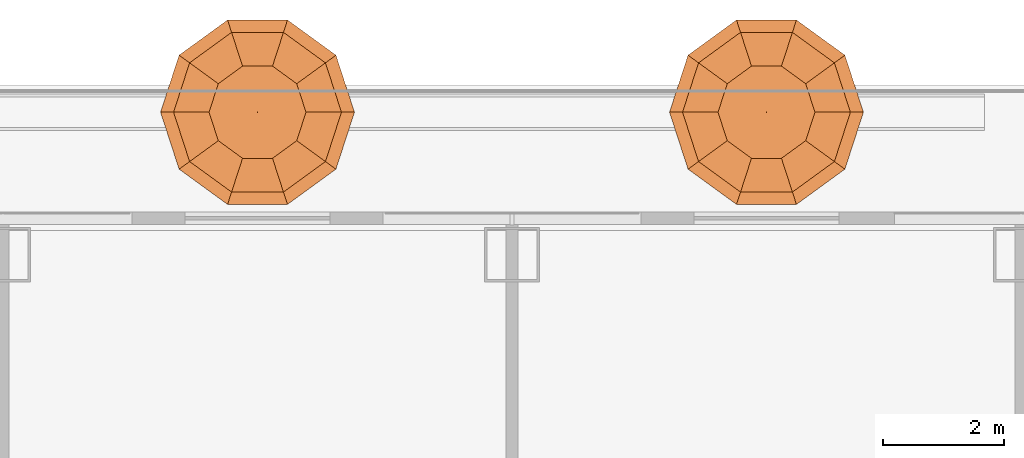
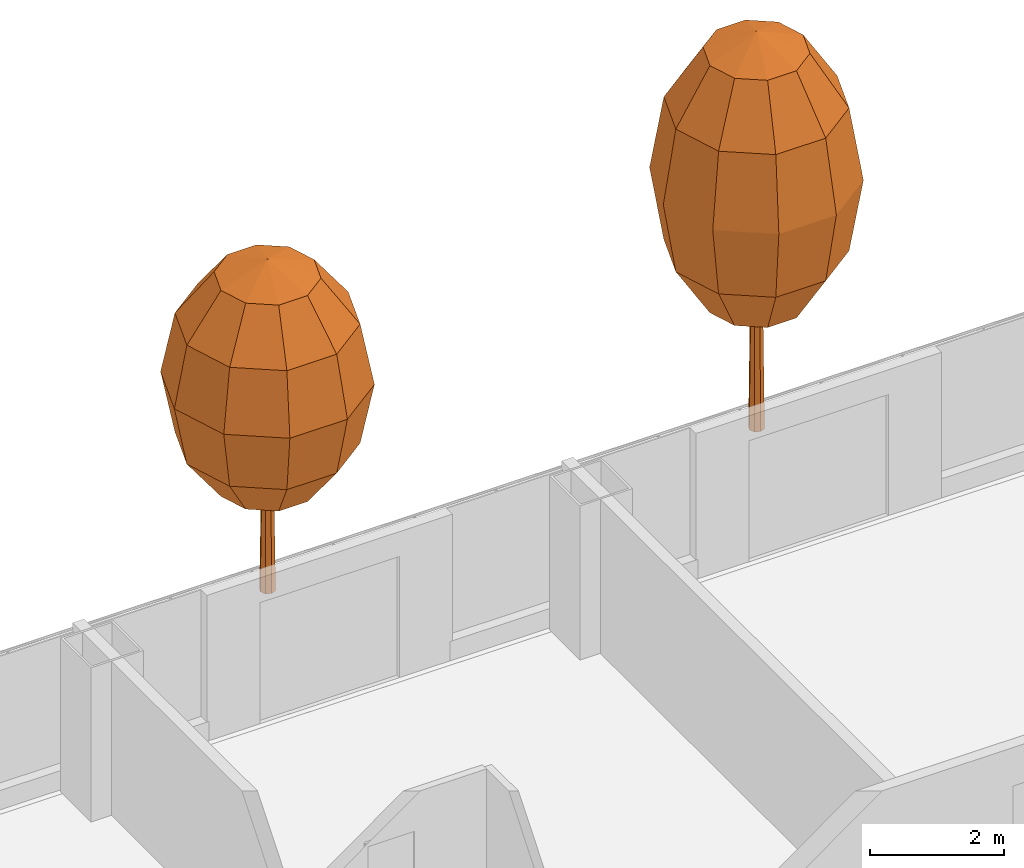
# One storey, part 35 of 35: 2 geographic elements.
"""IFC4 building model written with IfcOpenShell, lengths in metres."""

from ifc_helpers import new_model, si_unit, direction, frame, origin, place, context, subcontext, project, spatial, triangles, material, type_object, element, save


model = new_model("IFC4")

# Units and contexts
model_context = context("Model", 3, precision=1e-05, world=origin(), true_north=direction((0.0, 1.0)))
body_context = subcontext(model_context, "Body", "Model", "MODEL_VIEW")
ifc_project = project(units=[si_unit("LENGTHUNIT", "METRE"), si_unit("AREAUNIT", "SQUARE_METRE"), si_unit("VOLUMEUNIT", "CUBIC_METRE"), si_unit("PLANEANGLEUNIT", "RADIAN"), si_unit("MASSUNIT", "GRAM", prefix="KILO")], contexts=[model_context])

# Site, building, storey
site_placement = place(None, origin())
site = spatial("IfcSite", under=ifc_project, at=site_placement, CompositionType="ELEMENT")
building_placement = place(site_placement, origin())
building = spatial("IfcBuilding", under=site, at=building_placement, Name="Hakoniwa Tower and Hamabe Station Hall", CompositionType="ELEMENT")
storey_placement = place(building_placement, frame((0.0, 0.0, 51.800048828125)))
storey = spatial("IfcBuildingStorey", under=building, at=storey_placement, Name="L14", CompositionType="ELEMENT", Elevation=51.800048828125)

# Geographic elements
ifc_material_1 = material(Name="Tree foliage")
geographic_element_type_1 = type_object("IfcGeographicElementType", Name="Japanese maple 7.2 m", PredefinedType="USERDEFINED", material=ifc_material_1)
geographic_element_1_placement = place(storey_placement, frame((37.800048828125, 21.949951171875, 0.89990234375)))
element("IfcGeographicElement", 1, at=geographic_element_1_placement, inside=storey, type_object=geographic_element_type_1, Name="Japanese maple 7-2 m", ObjectType="TREE", PredefinedType="USERDEFINED", context=body_context, shape_type="Tessellation", body=[
    triangles([(0.125, 0.0, 0.0), (0.08837890625, 0.08837890625, 0.0), (0.0, 0.125, 0.0), (-0.08837890625, 0.08837890625, 0.0), (-0.125, 0.0, 0.0), (-0.08837890625, -0.08837890625, 0.0), (0.0, -0.125, 0.0), (0.08837890625, -0.08837890625, 0.0), (0.074951171875, 0.0, 4.348876953125), (0.052978515625, 0.052978515625, 4.348876953125), (0.0, 0.074951171875, 4.348876953125), (-0.052978515625, 0.052978515625, 4.348876953125), (-0.074951171875, 0.0, 4.348876953125), (-0.052978515625, -0.052978515625, 4.348876953125), (0.0, -0.074951171875, 4.348876953125), (0.052978515625, -0.052978515625, 4.348876953125), (0.0, 0.0, 0.0), (0.0, 0.0, 4.348876953125)], [[1, 2, 10], [1, 10, 9], [17, 2, 1], [18, 9, 10], [2, 3, 11], [2, 11, 10], [17, 3, 2], [18, 10, 11], [3, 4, 12], [3, 12, 11], [17, 4, 3], [18, 11, 12], [4, 5, 13], [4, 13, 12], [17, 5, 4], [18, 12, 13], [5, 6, 14], [5, 14, 13], [17, 6, 5], [18, 13, 14], [6, 7, 15], [6, 15, 14], [17, 7, 6], [18, 14, 15], [7, 8, 16], [7, 16, 15], [17, 8, 7], [18, 15, 16], [8, 1, 9], [8, 9, 16], [17, 1, 8], [18, 16, 9]], closed=True),
    triangles([(0.0, 0.0, 2.015869140625), (0.800048828125, 0.0, 2.36328125), (0.647216796875, 0.47021484375, 2.36328125), (0.247314453125, 0.7607421875, 2.36328125), (-0.247314453125, 0.7607421875, 2.36328125), (-0.647216796875, 0.47021484375, 2.36328125), (-0.800048828125, 0.0, 2.36328125), (-0.647216796875, -0.47021484375, 2.36328125), (-0.247314453125, -0.7607421875, 2.36328125), (0.247314453125, -0.7607421875, 2.36328125), (0.647216796875, -0.47021484375, 2.36328125), (1.385498046875, 0.0, 3.31201171875), (1.12109375, 0.814453125, 3.31201171875), (0.42822265625, 1.31787109375, 3.31201171875), (-0.42822265625, 1.31787109375, 3.31201171875), (-1.12109375, 0.814453125, 3.31201171875), (-1.385498046875, 0.0, 3.31201171875), (-1.12109375, -0.814453125, 3.31201171875), (-0.42822265625, -1.31787109375, 3.31201171875), (0.42822265625, -1.31787109375, 3.31201171875), (1.12109375, -0.814453125, 3.31201171875), (1.60009765625, 0.0, 4.60791015625), (1.29443359375, 0.9404296875, 4.60791015625), (0.494384765625, 1.521728515625, 4.60791015625), (-0.494384765625, 1.521728515625, 4.60791015625), (-1.29443359375, 0.9404296875, 4.60791015625), (-1.60009765625, 0.0, 4.60791015625), (-1.29443359375, -0.9404296875, 4.60791015625), (-0.494384765625, -1.521728515625, 4.60791015625), (0.494384765625, -1.521728515625, 4.60791015625), (1.29443359375, -0.9404296875, 4.60791015625), (1.385498046875, 0.0, 5.904052734375), (1.12109375, 0.814453125, 5.904052734375), (0.42822265625, 1.31787109375, 5.904052734375), (-0.42822265625, 1.31787109375, 5.904052734375), (-1.12109375, 0.814453125, 5.904052734375), (-1.385498046875, 0.0, 5.904052734375), (-1.12109375, -0.814453125, 5.904052734375), (-0.42822265625, -1.31787109375, 5.904052734375), (0.42822265625, -1.31787109375, 5.904052734375), (1.12109375, -0.814453125, 5.904052734375), (0.800048828125, 0.0, 6.852783203125), (0.647216796875, 0.47021484375, 6.852783203125), (0.247314453125, 0.7607421875, 6.852783203125), (-0.247314453125, 0.7607421875, 6.852783203125), (-0.647216796875, 0.47021484375, 6.852783203125), (-0.800048828125, 0.0, 6.852783203125), (-0.647216796875, -0.47021484375, 6.852783203125), (-0.247314453125, -0.7607421875, 6.852783203125), (0.247314453125, -0.7607421875, 6.852783203125), (0.647216796875, -0.47021484375, 6.852783203125), (0.0, 0.0, 7.199951171875)], [[1, 3, 2], [1, 4, 3], [1, 5, 4], [1, 6, 5], [1, 7, 6], [1, 8, 7], [1, 9, 8], [1, 10, 9], [1, 11, 10], [1, 2, 11], [2, 3, 13], [2, 13, 12], [3, 4, 14], [3, 14, 13], [4, 5, 15], [4, 15, 14], [5, 6, 16], [5, 16, 15], [6, 7, 17], [6, 17, 16], [7, 8, 18], [7, 18, 17], [8, 9, 19], [8, 19, 18], [9, 10, 20], [9, 20, 19], [10, 11, 21], [10, 21, 20], [11, 2, 12], [11, 12, 21], [12, 13, 23], [12, 23, 22], [13, 14, 24], [13, 24, 23], [14, 15, 25], [14, 25, 24], [15, 16, 26], [15, 26, 25], [16, 17, 27], [16, 27, 26], [17, 18, 28], [17, 28, 27], [18, 19, 29], [18, 29, 28], [19, 20, 30], [19, 30, 29], [20, 21, 31], [20, 31, 30], [21, 12, 22], [21, 22, 31], [22, 23, 33], [22, 33, 32], [23, 24, 34], [23, 34, 33], [24, 25, 35], [24, 35, 34], [25, 26, 36], [25, 36, 35], [26, 27, 37], [26, 37, 36], [27, 28, 38], [27, 38, 37], [28, 29, 39], [28, 39, 38], [29, 30, 40], [29, 40, 39], [30, 31, 41], [30, 41, 40], [31, 22, 32], [31, 32, 41], [32, 33, 43], [32, 43, 42], [33, 34, 44], [33, 44, 43], [34, 35, 45], [34, 45, 44], [35, 36, 46], [35, 46, 45], [36, 37, 47], [36, 47, 46], [37, 38, 48], [37, 48, 47], [38, 39, 49], [38, 49, 48], [39, 40, 50], [39, 50, 49], [40, 41, 51], [40, 51, 50], [41, 32, 42], [41, 42, 51], [52, 42, 43], [52, 43, 44], [52, 44, 45], [52, 45, 46], [52, 46, 47], [52, 47, 48], [52, 48, 49], [52, 49, 50], [52, 50, 51], [52, 51, 42]], closed=True),
])
ifc_material_2 = material(Name="Tree foliage")
geographic_element_type_2 = type_object("IfcGeographicElementType", Name="Osmanthus 6.0 m", PredefinedType="USERDEFINED", material=ifc_material_2)
geographic_element_2_placement = place(storey_placement, frame((29.39990234375, 21.949951171875, 0.89990234375)))
element("IfcGeographicElement", 2, at=geographic_element_2_placement, inside=storey, type_object=geographic_element_type_2, Name="Osmanthus 6-0 m", ObjectType="TREE", PredefinedType="USERDEFINED", context=body_context, shape_type="Tessellation", body=[
    triangles([(0.125, 0.0, 0.0), (0.08837890625, 0.08837890625, 0.0), (0.0, 0.125, 0.0), (-0.08837890625, 0.08837890625, 0.0), (-0.125, 0.0, 0.0), (-0.08837890625, -0.08837890625, 0.0), (0.0, -0.125, 0.0), (0.08837890625, -0.08837890625, 0.0), (0.074951171875, 0.0, 3.6240234375), (0.052978515625, 0.052978515625, 3.6240234375), (0.0, 0.074951171875, 3.6240234375), (-0.052978515625, 0.052978515625, 3.6240234375), (-0.074951171875, 0.0, 3.6240234375), (-0.052978515625, -0.052978515625, 3.6240234375), (0.0, -0.074951171875, 3.6240234375), (0.052978515625, -0.052978515625, 3.6240234375), (0.0, 0.0, 0.0), (0.0, 0.0, 3.6240234375)], [[1, 2, 10], [1, 10, 9], [17, 2, 1], [18, 9, 10], [2, 3, 11], [2, 11, 10], [17, 3, 2], [18, 10, 11], [3, 4, 12], [3, 12, 11], [17, 4, 3], [18, 11, 12], [4, 5, 13], [4, 13, 12], [17, 5, 4], [18, 12, 13], [5, 6, 14], [5, 14, 13], [17, 6, 5], [18, 13, 14], [6, 7, 15], [6, 15, 14], [17, 7, 6], [18, 14, 15], [7, 8, 16], [7, 16, 15], [17, 8, 7], [18, 15, 16], [8, 1, 9], [8, 9, 16], [17, 1, 8], [18, 16, 9]], closed=True),
    triangles([(0.0, 0.0, 1.679931640625), (0.800048828125, 0.0, 1.969482421875), (0.647216796875, 0.47021484375, 1.969482421875), (0.247314453125, 0.7607421875, 1.969482421875), (-0.247314453125, 0.7607421875, 1.969482421875), (-0.647216796875, 0.47021484375, 1.969482421875), (-0.800048828125, 0.0, 1.969482421875), (-0.647216796875, -0.47021484375, 1.969482421875), (-0.247314453125, -0.7607421875, 1.969482421875), (0.247314453125, -0.7607421875, 1.969482421875), (0.647216796875, -0.47021484375, 1.969482421875), (1.385498046875, 0.0, 2.760009765625), (1.12109375, 0.814453125, 2.760009765625), (0.42822265625, 1.31787109375, 2.760009765625), (-0.42822265625, 1.31787109375, 2.760009765625), (-1.12109375, 0.814453125, 2.760009765625), (-1.385498046875, 0.0, 2.760009765625), (-1.12109375, -0.814453125, 2.760009765625), (-0.42822265625, -1.31787109375, 2.760009765625), (0.42822265625, -1.31787109375, 2.760009765625), (1.12109375, -0.814453125, 2.760009765625), (1.60009765625, 0.0, 3.840087890625), (1.29443359375, 0.9404296875, 3.840087890625), (0.494384765625, 1.521728515625, 3.840087890625), (-0.494384765625, 1.521728515625, 3.840087890625), (-1.29443359375, 0.9404296875, 3.840087890625), (-1.60009765625, 0.0, 3.840087890625), (-1.29443359375, -0.9404296875, 3.840087890625), (-0.494384765625, -1.521728515625, 3.840087890625), (0.494384765625, -1.521728515625, 3.840087890625), (1.29443359375, -0.9404296875, 3.840087890625), (1.385498046875, 0.0, 4.919921875), (1.12109375, 0.814453125, 4.919921875), (0.42822265625, 1.31787109375, 4.919921875), (-0.42822265625, 1.31787109375, 4.919921875), (-1.12109375, 0.814453125, 4.919921875), (-1.385498046875, 0.0, 4.919921875), (-1.12109375, -0.814453125, 4.919921875), (-0.42822265625, -1.31787109375, 4.919921875), (0.42822265625, -1.31787109375, 4.919921875), (1.12109375, -0.814453125, 4.919921875), (0.800048828125, 0.0, 5.710693359375), (0.647216796875, 0.47021484375, 5.710693359375), (0.247314453125, 0.7607421875, 5.710693359375), (-0.247314453125, 0.7607421875, 5.710693359375), (-0.647216796875, 0.47021484375, 5.710693359375), (-0.800048828125, 0.0, 5.710693359375), (-0.647216796875, -0.47021484375, 5.710693359375), (-0.247314453125, -0.7607421875, 5.710693359375), (0.247314453125, -0.7607421875, 5.710693359375), (0.647216796875, -0.47021484375, 5.710693359375), (0.0, 0.0, 6.0)], [[1, 3, 2], [1, 4, 3], [1, 5, 4], [1, 6, 5], [1, 7, 6], [1, 8, 7], [1, 9, 8], [1, 10, 9], [1, 11, 10], [1, 2, 11], [2, 3, 13], [2, 13, 12], [3, 4, 14], [3, 14, 13], [4, 5, 15], [4, 15, 14], [5, 6, 16], [5, 16, 15], [6, 7, 17], [6, 17, 16], [7, 8, 18], [7, 18, 17], [8, 9, 19], [8, 19, 18], [9, 10, 20], [9, 20, 19], [10, 11, 21], [10, 21, 20], [11, 2, 12], [11, 12, 21], [12, 13, 23], [12, 23, 22], [13, 14, 24], [13, 24, 23], [14, 15, 25], [14, 25, 24], [15, 16, 26], [15, 26, 25], [16, 17, 27], [16, 27, 26], [17, 18, 28], [17, 28, 27], [18, 19, 29], [18, 29, 28], [19, 20, 30], [19, 30, 29], [20, 21, 31], [20, 31, 30], [21, 12, 22], [21, 22, 31], [22, 23, 33], [22, 33, 32], [23, 24, 34], [23, 34, 33], [24, 25, 35], [24, 35, 34], [25, 26, 36], [25, 36, 35], [26, 27, 37], [26, 37, 36], [27, 28, 38], [27, 38, 37], [28, 29, 39], [28, 39, 38], [29, 30, 40], [29, 40, 39], [30, 31, 41], [30, 41, 40], [31, 22, 32], [31, 32, 41], [32, 33, 43], [32, 43, 42], [33, 34, 44], [33, 44, 43], [34, 35, 45], [34, 45, 44], [35, 36, 46], [35, 46, 45], [36, 37, 47], [36, 47, 46], [37, 38, 48], [37, 48, 47], [38, 39, 49], [38, 49, 48], [39, 40, 50], [39, 50, 49], [40, 41, 51], [40, 51, 50], [41, 32, 42], [41, 42, 51], [52, 42, 43], [52, 43, 44], [52, 44, 45], [52, 45, 46], [52, 46, 47], [52, 47, 48], [52, 48, 49], [52, 49, 50], [52, 50, 51], [52, 51, 42]], closed=True),
])

save(model, "model.ifc")
